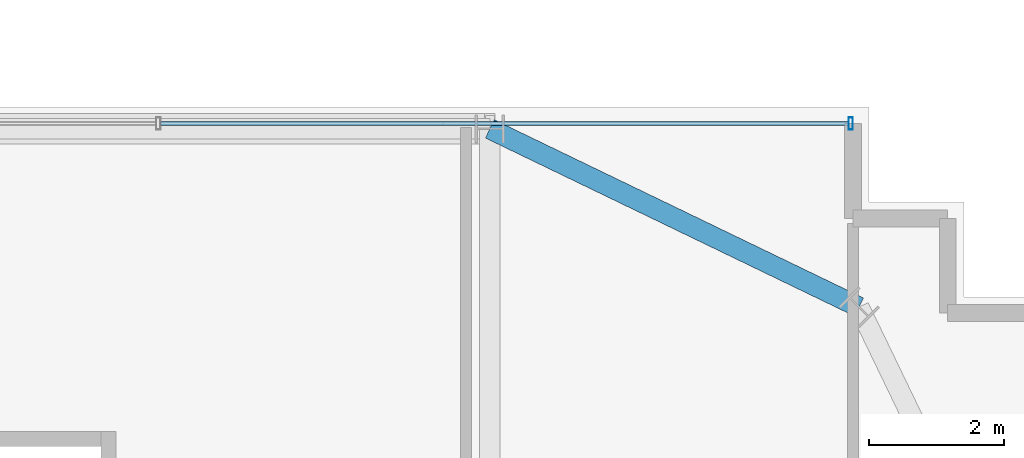
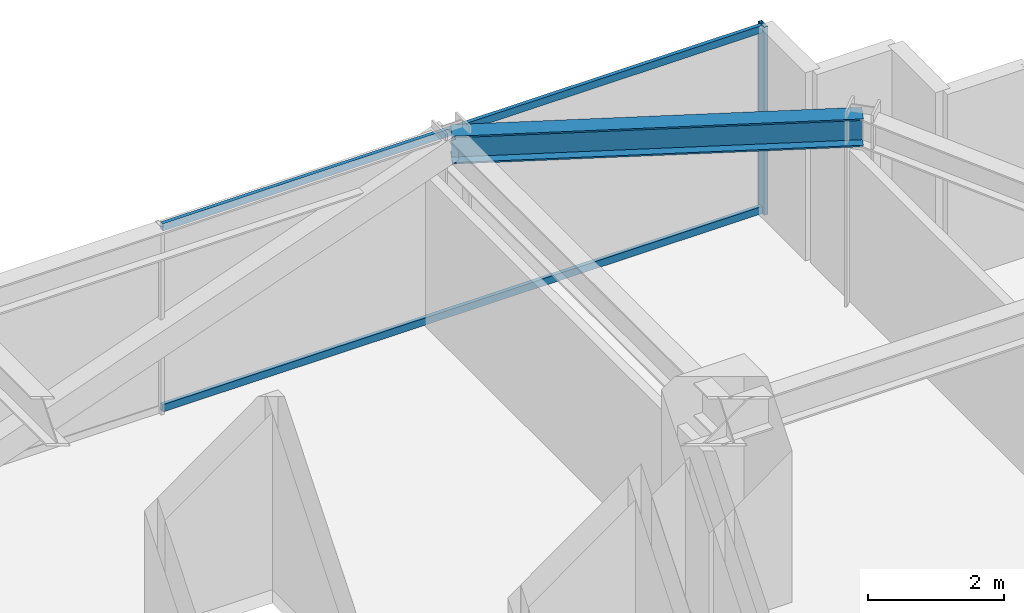
# One storey, part 27 of 36: 3 members, 1 beam, 1 element without a shape of its own.
"""IFC4 building model written with IfcOpenShell, lengths in metres."""

from ifc_helpers import new_model, si_unit, direction, frame, origin, origin_2d, place, context, subcontext, project, spatial, hollow_rectangle, i_section, extrude, source, transform, mapped, material, material_profile, profile_set, type_object, element, aggregate, save


model = new_model("IFC4")

# Units and contexts
model_context = context("Model", 3, precision=1e-05, world=origin(), true_north=direction((0.0, 1.0)))
body_context = subcontext(model_context, "Body", "Model", "MODEL_VIEW")
ifc_project = project(units=[si_unit("LENGTHUNIT", "METRE"), si_unit("AREAUNIT", "SQUARE_METRE"), si_unit("VOLUMEUNIT", "CUBIC_METRE"), si_unit("PLANEANGLEUNIT", "RADIAN"), si_unit("MASSUNIT", "GRAM", prefix="KILO")], contexts=[model_context])

# Site, building, storey
site_placement = place(None, origin())
site = spatial("IfcSite", under=ifc_project, at=site_placement, CompositionType="ELEMENT")
building_placement = place(site_placement, origin())
building = spatial("IfcBuilding", under=site, at=building_placement, Name="Nahalor Promenade Grand Hotel", CompositionType="ELEMENT")
storey_placement = place(building_placement, frame((0.0, 0.0, 76.199951171875)))
storey = spatial("IfcBuildingStorey", under=building, at=storey_placement, Name="L18", CompositionType="ELEMENT", Elevation=76.199951171875)

# Beam
ifc_material_1 = material(Name="Steel S355JR", Category="steel")
ifc_material_profile_1 = material_profile(ifc_material_1, i_section(OverallWidth=0.3, OverallDepth=0.5, WebThickness=0.0145, FlangeThickness=0.028, at=origin_2d()), Name="HEB 500")
ifc_profile_set_1 = profile_set([ifc_material_profile_1], Name="Steel S355JR")
beam_type = type_object("IfcBeamType", Name="Beam-Spandrel-HEB500", PredefinedType="SPANDREL", material=ifc_profile_set_1)
shared_shape_1 = source(origin(), body_context, "Body", "SweptSolid", [
    extrude(i_section(OverallWidth=0.3, OverallDepth=0.5, WebThickness=0.0145, FlangeThickness=0.028, at=origin_2d()), origin(), (0.0, 0.0, 1.0), 6.051513671875),
])
beam_placement = place(storey_placement, frame((17.0, 25.080078125, 3.1201171875), z_axis=(0.900608818852, -0.434630596492, 0.0), x_axis=(0.434630596492, 0.900608818852, 0.0)))
element("IfcBeam", 1, at=beam_placement, inside=storey, type_object=beam_type, Name="BM-L18-SPC-NE-1", PredefinedType="SPANDREL", context=body_context, shape_type="MappedRepresentation", body=[
    mapped(shared_shape_1, transform((0.0, 0.0, 0.0), scale=1.0)),
])

# Curtain wall, members
ifc_material_2 = material(Name="Anodised Bronze Aluminium EN AW-6063 T6", Category="aluminium")
curtain_wall_type = type_object("IfcCurtainWallType", Name="CW2 Typical Hotel Flush Bronze Unitised Curtain Wall", PredefinedType="USERDEFINED", material=ifc_material_2)
curtain_wall_placement = place(storey_placement, origin())
curtain_wall = element("IfcCurtainWall", 2, at=curtain_wall_placement, inside=storey, type_object=curtain_wall_type, Name="L18 Curtain Wall CW-L18-N-3", ObjectType="UNITISED_CURTAIN_WALL", PredefinedType="USERDEFINED")
ifc_material_profile_2 = material_profile(ifc_material_2, hollow_rectangle(XDim=0.065, YDim=0.18, WallThickness=0.004, at=origin_2d()), Name="CWM 65x180x4")
ifc_profile_set_2 = profile_set([ifc_material_profile_2], Name="Anodised Bronze Aluminium EN AW-6063 T6")
member_type_1 = type_object("IfcMemberType", Name="CWM2 Typical Bronze Mullion 65x180", PredefinedType="MULLION", material=ifc_profile_set_2)
shared_shape_2 = source(origin(), body_context, "Body", "SweptSolid", [
    extrude(hollow_rectangle(XDim=0.065, YDim=0.18, WallThickness=0.004, at=origin_2d()), origin(), (0.0, 0.0, 1.0), 3.3701171875),
])
member_1_placement = place(storey_placement, frame((22.327392578125, 25.159912109375, 0.0), z_axis=(0.0, 0.0, 1.0), x_axis=(1.0, 0.0, 0.0)))
member_1 = element("IfcMember", 3, at=member_1_placement, type_object=member_type_1, Name="CW-L18-N-3 Mullion 3", PredefinedType="MULLION", context=body_context, shape_type="MappedRepresentation", body=[
    mapped(shared_shape_2, transform((0.0, 0.0, 0.0), scale=1.0)),
])
ifc_material_profile_3 = material_profile(ifc_material_2, hollow_rectangle(XDim=0.065, YDim=0.13, WallThickness=0.004, at=origin_2d()), Name="CWT 65x130x4")
ifc_profile_set_3 = profile_set([ifc_material_profile_3], Name="Anodised Bronze Aluminium EN AW-6063 T6")
member_type_2 = type_object("IfcMemberType", Name="CWT2 Typical Bronze Transom 65x130", PredefinedType="USERDEFINED", material=ifc_profile_set_3)
shared_shape_3 = source(origin(), body_context, "Body", "SweptSolid", [
    extrude(hollow_rectangle(XDim=0.065, YDim=0.13, WallThickness=0.004, at=origin_2d()), origin(), (0.0, 0.0, 1.0), 10.15576171875),
])
member_2_placement = place(storey_placement, frame((12.13916015625, 25.159912109375, 0.06494140625), z_axis=(1.0, 0.0, 0.0), x_axis=(0.0, 1.0, 0.0)))
member_2 = element("IfcMember", 4, at=member_2_placement, type_object=member_type_2, Name="CW-L18-N-3 Transom 2-0", ObjectType="TRANSOM", PredefinedType="USERDEFINED", context=body_context, shape_type="MappedRepresentation", body=[
    mapped(shared_shape_3, transform((0.0, 0.0, 0.0), scale=1.0)),
])
member_3_placement = place(storey_placement, frame((12.13916015625, 25.159912109375, 3.304931640625), z_axis=(1.0, 0.0, 0.0), x_axis=(0.0, 1.0, 0.0)))
member_3 = element("IfcMember", 5, at=member_3_placement, type_object=member_type_2, Name="CW-L18-N-3 Transom 2-1", ObjectType="TRANSOM", PredefinedType="USERDEFINED", context=body_context, shape_type="MappedRepresentation", body=[
    mapped(shared_shape_3, transform((0.0, 0.0, 0.0), scale=1.0)),
])
aggregate(curtain_wall, [member_1, member_2, member_3])

save(model, "model.ifc")
